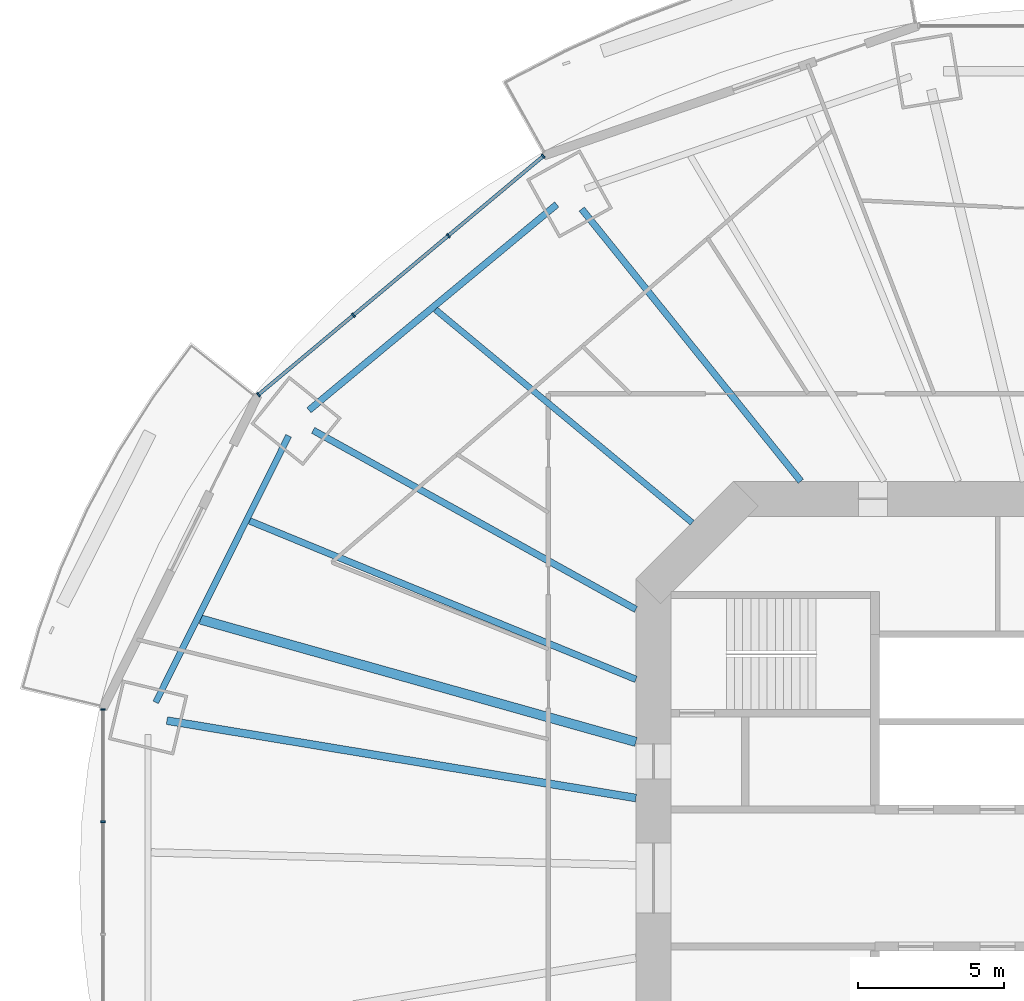
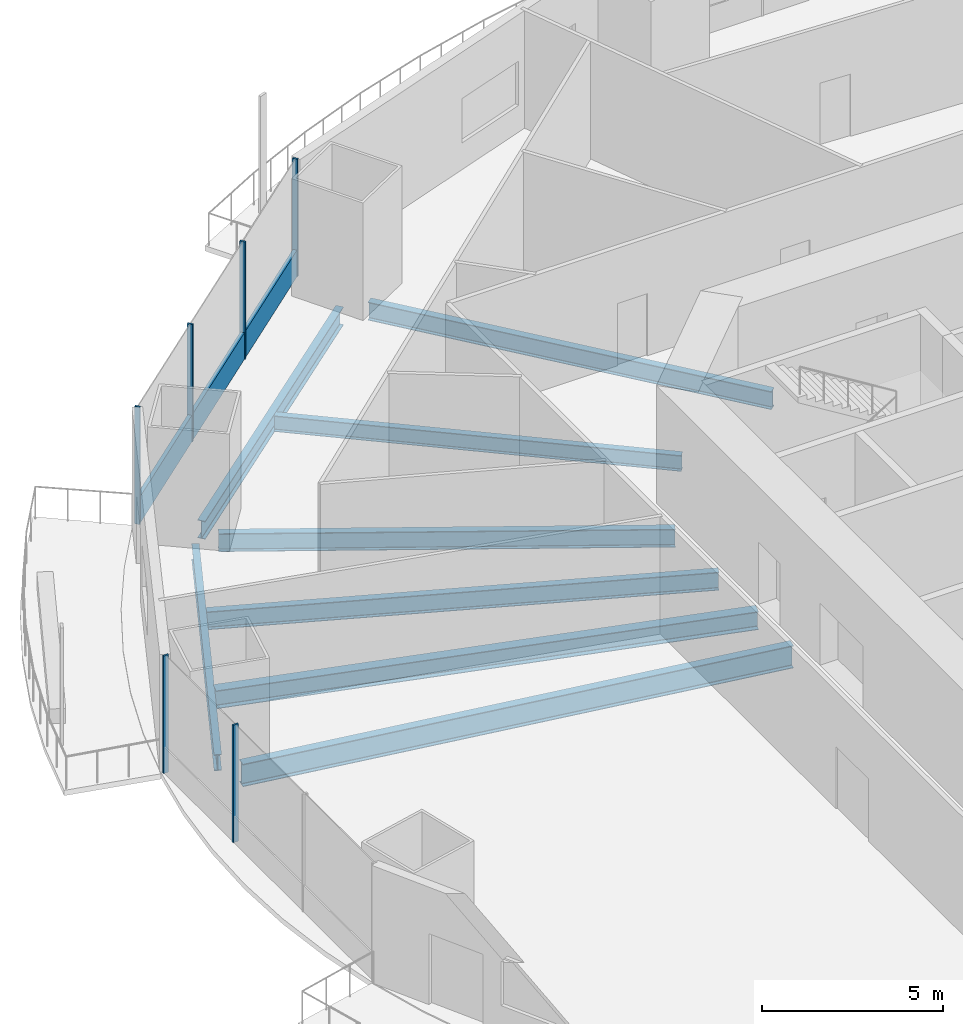
# One storey, part 6 of 22: 8 beams, 7 members, 2 elements without a shape of their own.
"""IFC4 building model written with IfcOpenShell, lengths in metres."""

from ifc_helpers import new_model, si_unit, direction, frame, origin, origin_2d, place, context, subcontext, project, spatial, rectangle, i_section, extrude, material, material_profile, profile_set, type_object, element, aggregate, save


model = new_model("IFC4")

# Units and contexts
model_context = context("Model", 3, precision=1e-05, world=origin(), true_north=direction((0.0, 1.0)))
body_context = subcontext(model_context, "Body", "Model", "MODEL_VIEW")
ifc_project = project(units=[si_unit("LENGTHUNIT", "METRE"), si_unit("AREAUNIT", "SQUARE_METRE"), si_unit("VOLUMEUNIT", "CUBIC_METRE"), si_unit("PLANEANGLEUNIT", "RADIAN"), si_unit("MASSUNIT", "GRAM", prefix="KILO")], contexts=[model_context])

# Site, building, storey
site_placement = place(None, origin())
site = spatial("IfcSite", under=ifc_project, at=site_placement, CompositionType="ELEMENT")
building_placement = place(site_placement, origin())
building = spatial("IfcBuilding", under=site, at=building_placement, Name="Marenthal Gate Tower", CompositionType="ELEMENT")
storey_placement = place(building_placement, frame((0.0, 0.0, 78.64990234375)))
storey = spatial("IfcBuildingStorey", under=building, at=storey_placement, Name="L15", CompositionType="ELEMENT", Elevation=78.64990234375)

# Curtain wall, members
ifc_material_1 = material(Name="Aluminium and glass", Category="aluminium")
curtain_wall_type = type_object("IfcCurtainWallType", Name="Curtain wall typical low", PredefinedType="NOTDEFINED", material=ifc_material_1)
curtain_wall_1_placement = place(storey_placement, origin())
curtain_wall_1 = element("IfcCurtainWall", 1, at=curtain_wall_1_placement, inside=storey, type_object=curtain_wall_type, Name="Curtain wall L15 bay 6", PredefinedType="NOTDEFINED")
ifc_material_2 = material(Name="Aluminium", Category="aluminium")
ifc_material_profile_1 = material_profile(ifc_material_2, rectangle(XDim=0.159912109375, YDim=0.06005859375, at=origin_2d()), Name="60x160 aluminium mullion")
ifc_profile_set_1 = profile_set([ifc_material_profile_1], Name="Aluminium")
member_type_1 = type_object("IfcMemberType", Name="Mullion 60x160 typical low", PredefinedType="MULLION", material=ifc_profile_set_1)
member_1_placement = place(storey_placement, frame((-19.775146484375, 24.7451171875, 0.0), z_axis=(0.0, 0.0, 1.0), x_axis=(0.642176178992, -0.76655707885, 0.0)))
member_1 = element("IfcMember", 2, at=member_1_placement, type_object=member_type_1, Name="Mullion L15 bay 6.1", PredefinedType="MULLION", context=body_context, shape_type="SweptSolid", body=[
    extrude(rectangle(XDim=0.159912109375, YDim=0.06005859375, at=origin_2d()), origin(), (0.0, 0.0, 1.0), 3.97021484375),
])
member_2_placement = place(storey_placement, frame((-23.029541015625, 22.01904296875, 0.0), z_axis=(0.0, 0.0, 1.0), x_axis=(0.642176178992, -0.76655707885, 0.0)))
member_2 = element("IfcMember", 3, at=member_2_placement, type_object=member_type_1, Name="Mullion L15 bay 6.2", PredefinedType="MULLION", context=body_context, shape_type="SweptSolid", body=[
    extrude(rectangle(XDim=0.159912109375, YDim=0.06005859375, at=origin_2d()), origin(), (0.0, 0.0, 1.0), 3.97021484375),
])
member_3_placement = place(storey_placement, frame((-26.283935546875, 19.292724609375, 0.0), z_axis=(0.0, 0.0, 1.0), x_axis=(0.642176178992, -0.76655707885, 0.0)))
member_3 = element("IfcMember", 4, at=member_3_placement, type_object=member_type_1, Name="Mullion L15 bay 6.3", PredefinedType="MULLION", context=body_context, shape_type="SweptSolid", body=[
    extrude(rectangle(XDim=0.159912109375, YDim=0.06005859375, at=origin_2d()), origin(), (0.0, 0.0, 1.0), 3.97021484375),
])
member_4_placement = place(storey_placement, frame((-29.538330078125, 16.56640625, 0.0), z_axis=(0.0, 0.0, 1.0), x_axis=(0.642176178992, -0.76655707885, 0.0)))
member_4 = element("IfcMember", 5, at=member_4_placement, type_object=member_type_1, Name="Mullion L15 bay 6.4", PredefinedType="MULLION", context=body_context, shape_type="SweptSolid", body=[
    extrude(rectangle(XDim=0.159912109375, YDim=0.06005859375, at=origin_2d()), origin(), (0.0, 0.0, 1.0), 3.97021484375),
])

curtain_wall_2_placement = place(storey_placement, origin())
curtain_wall_2 = element("IfcCurtainWall", 6, at=curtain_wall_2_placement, inside=storey, type_object=curtain_wall_type, Name="Curtain wall L15 bay 8", PredefinedType="NOTDEFINED")
member_5_placement = place(storey_placement, frame((-34.869873046875, 5.780517578125, 0.0), z_axis=(0.0, 0.0, 1.0), x_axis=(1.0, 0.0, 0.0)))
member_5 = element("IfcMember", 7, at=member_5_placement, type_object=member_type_1, Name="Mullion L15 bay 8.1", PredefinedType="MULLION", context=body_context, shape_type="SweptSolid", body=[
    extrude(rectangle(XDim=0.159912109375, YDim=0.06005859375, at=origin_2d()), origin(), (0.0, 0.0, 1.0), 3.97021484375),
])
member_6_placement = place(storey_placement, frame((-34.869873046875, 1.927001953125, 0.0), z_axis=(0.0, 0.0, 1.0), x_axis=(1.0, 0.0, 0.0)))
member_6 = element("IfcMember", 8, at=member_6_placement, type_object=member_type_1, Name="Mullion L15 bay 8.2", PredefinedType="MULLION", context=body_context, shape_type="SweptSolid", body=[
    extrude(rectangle(XDim=0.159912109375, YDim=0.06005859375, at=origin_2d()), origin(), (0.0, 0.0, 1.0), 3.97021484375),
])
aggregate(curtain_wall_2, [member_5, member_6])

# Member
ifc_material_3 = material(Name="Aluminium", Category="aluminium")
ifc_material_profile_2 = material_profile(ifc_material_3, rectangle(XDim=0.1201171875, YDim=0.89990234375, at=origin_2d()), Name="120x900 aluminium transom")
ifc_profile_set_2 = profile_set([ifc_material_profile_2], Name="Aluminium")
member_type_2 = type_object("IfcMemberType", Name="Transom 120x900 typical low", PredefinedType="USERDEFINED", material=ifc_profile_set_2)
member_7_placement = place(storey_placement, frame((-19.798095703125, 24.72607421875, 0.4501953125), z_axis=(-0.766556354324, -0.642177043849, 0.0), x_axis=(0.642177043849, -0.766556354324, 0.0)))
member_7 = element("IfcMember", 9, at=member_7_placement, type_object=member_type_2, Name="Transom L15 bay 6", ObjectType="TRANSOM", PredefinedType="USERDEFINED", context=body_context, shape_type="SweptSolid", body=[
    extrude(rectangle(XDim=0.1201171875, YDim=0.89990234375, at=origin_2d()), origin(), (0.0, 0.0, 1.0), 12.67626953125),
])

aggregate(curtain_wall_1, [member_1, member_2, member_3, member_4, member_7])

# Beams
ifc_material_4 = material(Name="Steel S355", Category="steel")
ifc_material_profile_3 = material_profile(ifc_material_4, i_section(OverallWidth=0.2099609375, OverallDepth=0.535888671875, WebThickness=0.010986328125, FlangeThickness=0.017333984375, FilletRadius=0.0126953125, at=origin_2d()), Name="W530X101")
ifc_profile_set_3 = profile_set([ifc_material_profile_3], Name="Steel S355")
beam_type_1 = type_object("IfcBeamType", Name="W530X101 beam", PredefinedType="BEAM", material=ifc_profile_set_3)
beam_1_placement = place(storey_placement, frame((-23.47119140625, 19.485595703125, -0.447998046875), z_axis=(0.769402561639, -0.638764196041, 0.0), x_axis=(0.638764196041, 0.769402561639, 0.0)))
element("IfcBeam", 10, at=beam_1_placement, inside=storey, type_object=beam_type_1, Name="BM-L15-25", PredefinedType="BEAM", context=body_context, shape_type="SweptSolid", body=[
    extrude(i_section(OverallWidth=0.2099609375, OverallDepth=0.535888671875, WebThickness=0.010986328125, FlangeThickness=0.017333984375, FilletRadius=0.0126953125, at=origin_2d()), origin(), (0.0, 0.0, 1.0), 11.439208984375),
])
ifc_material_5 = material(Name="Steel S355", Category="steel")
ifc_material_profile_4 = material_profile(ifc_material_5, i_section(OverallWidth=0.2119140625, OverallDepth=0.5439453125, WebThickness=0.01318359375, FlangeThickness=0.021240234375, FilletRadius=0.0126953125, at=origin_2d()), Name="W530X123")
ifc_profile_set_4 = profile_set([ifc_material_profile_4], Name="Steel S355")
beam_type_2 = type_object("IfcBeamType", Name="W530X123 beam", PredefinedType="BEAM", material=ifc_profile_set_4)
beam_2_placement = place(storey_placement, frame((-28.504150390625, 15.155029296875, -0.451904296875), z_axis=(-0.446448228661, -0.894809465264, 0.0), x_axis=(0.894809465264, -0.446448228661, 0.0)))
element("IfcBeam", 11, at=beam_2_placement, inside=storey, type_object=beam_type_2, Name="BM-L15-47", PredefinedType="BEAM", context=body_context, shape_type="SweptSolid", body=[
    extrude(i_section(OverallWidth=0.2119140625, OverallDepth=0.5439453125, WebThickness=0.01318359375, FlangeThickness=0.021240234375, FilletRadius=0.0126953125, at=origin_2d()), origin(), (0.0, 0.0, 1.0), 10.209716796875),
])
ifc_material_6 = material(Name="Steel S355", Category="steel")
ifc_material_profile_5 = material_profile(ifc_material_6, i_section(OverallWidth=0.22900390625, OverallDepth=0.612060546875, WebThickness=0.011962890625, FlangeThickness=0.01953125, FilletRadius=0.0126953125, at=origin_2d()), Name="W610X125")
ifc_profile_set_5 = profile_set([ifc_material_profile_5], Name="Steel S355")
beam_type_3 = type_object("IfcBeamType", Name="W610X125 beam", PredefinedType="BEAM", material=ifc_profile_set_5)
beam_3_placement = place(storey_placement, frame((-18.456298828125, 22.93115234375, -0.48583984375), z_axis=(0.62700397479, -0.779016056059, 0.0), x_axis=(0.779016056059, 0.62700397479, 0.0)))
element("IfcBeam", 12, at=beam_3_placement, inside=storey, type_object=beam_type_3, Name="BM-L15-06", PredefinedType="BEAM", context=body_context, shape_type="SweptSolid", body=[
    extrude(i_section(OverallWidth=0.22900390625, OverallDepth=0.612060546875, WebThickness=0.011962890625, FlangeThickness=0.01953125, FilletRadius=0.0126953125, at=origin_2d()), origin(), (0.0, 0.0, 1.0), 11.97802734375),
])
beam_4_placement = place(storey_placement, frame((-27.6640625, 15.345703125, -0.48583984375), z_axis=(0.874465657006, -0.485087429972, 0.0), x_axis=(0.485087429972, 0.874465657006, 0.0)))
element("IfcBeam", 13, at=beam_4_placement, inside=storey, type_object=beam_type_3, Name="BM-L15-07", PredefinedType="BEAM", context=body_context, shape_type="SweptSolid", body=[
    extrude(i_section(OverallWidth=0.22900390625, OverallDepth=0.612060546875, WebThickness=0.011962890625, FlangeThickness=0.01953125, FilletRadius=0.0126953125, at=origin_2d()), origin(), (0.0, 0.0, 1.0), 12.65234375),
])
beam_5_placement = place(storey_placement, frame((-29.840087890625, 12.239990234375, -0.48583984375), z_axis=(0.925190275705, -0.379503562225, 0.0), x_axis=(0.379503562225, 0.925190275705, 0.0)))
element("IfcBeam", 14, at=beam_5_placement, inside=storey, type_object=beam_type_3, Name="BM-L15-26", PredefinedType="BEAM", context=body_context, shape_type="SweptSolid", body=[
    extrude(i_section(OverallWidth=0.22900390625, OverallDepth=0.612060546875, WebThickness=0.011962890625, FlangeThickness=0.01953125, FilletRadius=0.0126953125, at=origin_2d()), origin(), (0.0, 0.0, 1.0), 14.310546875),
])
beam_6_placement = place(storey_placement, frame((-19.311767578125, 23.087646484375, -0.48583984375), z_axis=(-0.769405168871, -0.638761055571, 0.0), x_axis=(0.638761055571, -0.769405168871, 0.0)))
element("IfcBeam", 15, at=beam_6_placement, inside=storey, type_object=beam_type_3, Name="BM-L15-46", PredefinedType="BEAM", context=body_context, shape_type="SweptSolid", body=[
    extrude(i_section(OverallWidth=0.22900390625, OverallDepth=0.612060546875, WebThickness=0.011962890625, FlangeThickness=0.01953125, FilletRadius=0.0126953125, at=origin_2d()), origin(), (0.0, 0.0, 1.0), 11.04248046875),
])
ifc_material_7 = material(Name="Steel S355", Category="steel")
ifc_material_profile_6 = material_profile(ifc_material_7, i_section(OverallWidth=0.324951171875, OverallDepth=0.612060546875, WebThickness=0.0126953125, FlangeThickness=0.01904296875, FilletRadius=0.0126953125, at=origin_2d()), Name="W610X155")
ifc_profile_set_6 = profile_set([ifc_material_profile_6], Name="Steel S355")
beam_type_4 = type_object("IfcBeamType", Name="W610X155 beam", PredefinedType="BEAM", material=ifc_profile_set_6)
beam_7_placement = place(storey_placement, frame((-31.525390625, 8.862060546875, -0.48583984375), z_axis=(0.962687612966, -0.270615150797, 0.0), x_axis=(0.270615150797, 0.962687612966, 0.0)))
element("IfcBeam", 16, at=beam_7_placement, inside=storey, type_object=beam_type_4, Name="BM-L15-27", PredefinedType="BEAM", context=body_context, shape_type="SweptSolid", body=[
    extrude(i_section(OverallWidth=0.324951171875, OverallDepth=0.612060546875, WebThickness=0.0126953125, FlangeThickness=0.01904296875, FilletRadius=0.0126953125, at=origin_2d()), origin(), (0.0, 0.0, 1.0), 15.503662109375),
])
ifc_material_8 = material(Name="Steel S355", Category="steel")
ifc_material_profile_7 = material_profile(ifc_material_8, i_section(OverallWidth=0.26708984375, OverallDepth=0.761962890625, WebThickness=0.014404296875, FlangeThickness=0.021484375, FilletRadius=0.0166015625, at=origin_2d()), Name="W760X173")
ifc_profile_set_7 = profile_set([ifc_material_profile_7], Name="Steel S355")
beam_type_5 = type_object("IfcBeamType", Name="W760X173 beam", PredefinedType="BEAM", material=ifc_profile_set_7)
beam_8_placement = place(storey_placement, frame((-32.676025390625, 5.39599609375, -0.560791015625), z_axis=(0.986637030798, -0.162933635137, 0.0), x_axis=(0.162933635137, 0.986637030798, 0.0)))
element("IfcBeam", 17, at=beam_8_placement, inside=storey, type_object=beam_type_5, Name="BM-L15-08", PredefinedType="BEAM", context=body_context, shape_type="SweptSolid", body=[
    extrude(i_section(OverallWidth=0.26708984375, OverallDepth=0.761962890625, WebThickness=0.014404296875, FlangeThickness=0.021484375, FilletRadius=0.0166015625, at=origin_2d()), origin(), (0.0, 0.0, 1.0), 16.293701171875),
])

save(model, "model.ifc")
